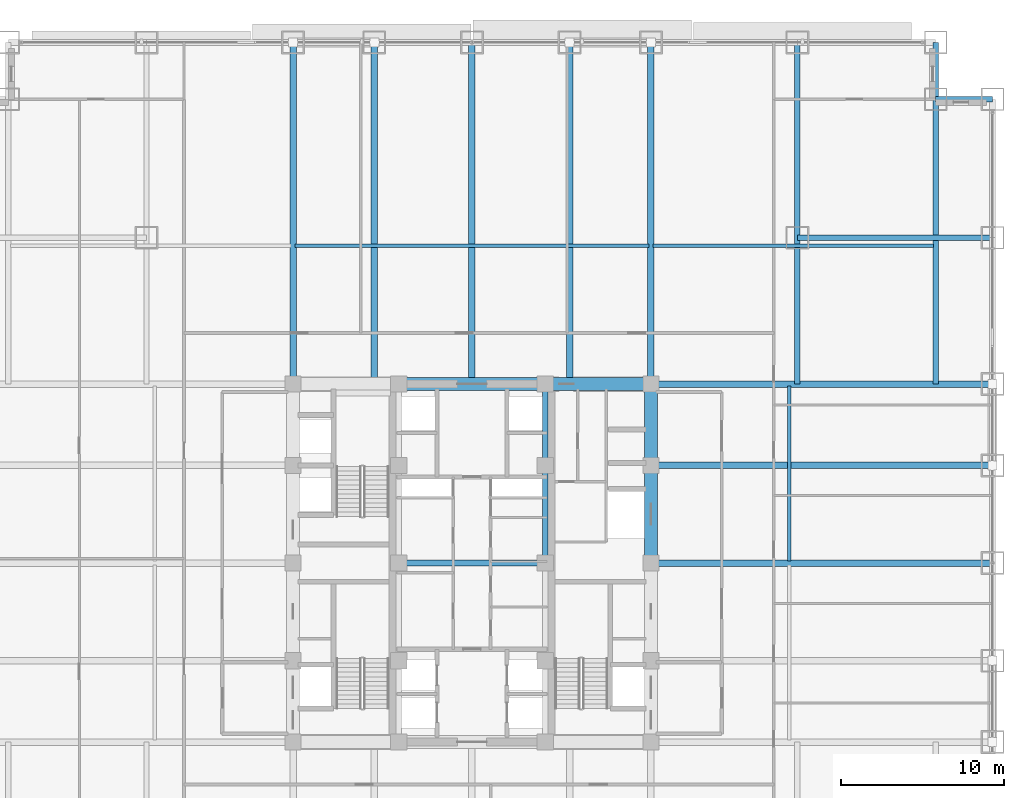
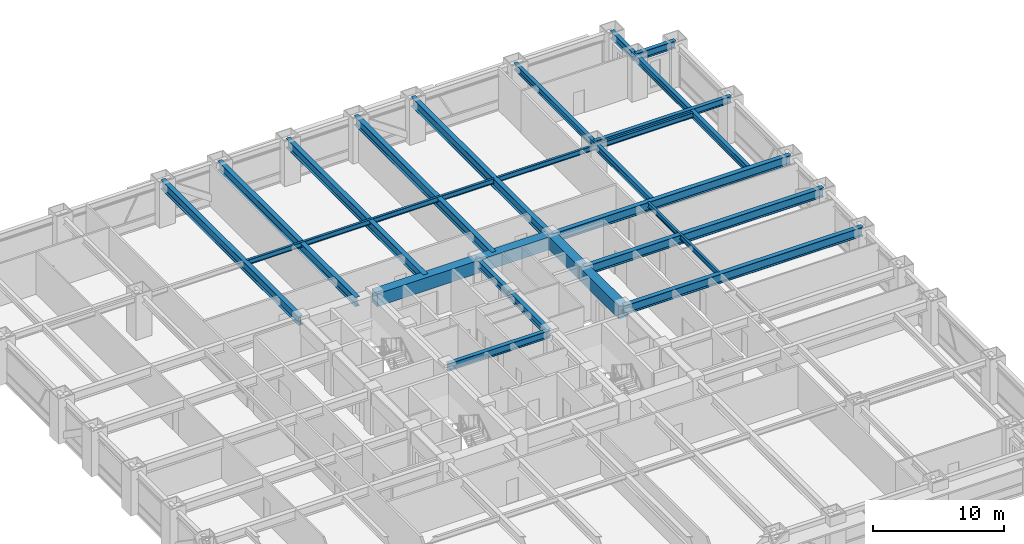
# One storey, part 11 of 32: 23 beams.
"""IFC4 building model written with IfcOpenShell, lengths in metres."""

from ifc_helpers import new_model, si_unit, direction, frame, origin, origin_2d, place, context, subcontext, project, spatial, rectangle, i_section, extrude, source, transform, mapped, material, material_profile, profile_set, type_object, element, save


model = new_model("IFC4")

# Units and contexts
model_context = context("Model", 3, precision=1e-05, world=origin(), true_north=direction((0.0, 1.0)))
body_context = subcontext(model_context, "Body", "Model", "MODEL_VIEW")
ifc_project = project(units=[si_unit("LENGTHUNIT", "METRE"), si_unit("AREAUNIT", "SQUARE_METRE"), si_unit("VOLUMEUNIT", "CUBIC_METRE"), si_unit("PLANEANGLEUNIT", "RADIAN"), si_unit("MASSUNIT", "GRAM", prefix="KILO")], contexts=[model_context])

# Site, building, storey
site_placement = place(None, origin())
site = spatial("IfcSite", under=ifc_project, at=site_placement, CompositionType="ELEMENT")
building_placement = place(site_placement, origin())
building = spatial("IfcBuilding", under=site, at=building_placement, Name="Khorayat Bourse Tower", CompositionType="ELEMENT")
storey_placement = place(building_placement, frame((0.0, 0.0, 78.800048828125)))
storey = spatial("IfcBuildingStorey", under=building, at=storey_placement, Name="L17", CompositionType="ELEMENT", Elevation=78.800048828125)

# Beams
ifc_material_1 = material(Name="Concrete C72/90", Category="concrete")
ifc_material_profile_1 = material_profile(ifc_material_1, rectangle(XDim=0.800048828125, YDim=1.199951171875, at=origin_2d()), Name="RC 800x1200")
ifc_profile_set_1 = profile_set([ifc_material_profile_1], Name="Concrete C72/90")
beam_type_1 = type_object("IfcBeamType", Name="BM-COUP-1200", PredefinedType="BEAM", material=ifc_profile_set_1)
shared_shape_1 = source(origin(), body_context, "Body", "SweptSolid", [
    extrude(rectangle(XDim=0.800048828125, YDim=1.199951171875, at=origin_2d()), origin(), (0.0, 0.0, 1.0), 5.0),
])
beam_1_placement = place(storey_placement, frame((11.0, 6.0, 3.33984375), z_axis=(0.0, 1.0, 0.0), x_axis=(-1.0, 0.0, 0.0)))
element("IfcBeam", 1, at=beam_1_placement, inside=storey, type_object=beam_type_1, Name="L17 BM-COUP-1200 BM-L17-CRX-16", PredefinedType="BEAM", context=body_context, shape_type="MappedRepresentation", body=[
    mapped(shared_shape_1, transform((0.0, 0.0, 0.0), scale=1.0)),
])
shared_shape_2 = source(origin(), body_context, "Body", "SweptSolid", [
    extrude(rectangle(XDim=0.800048828125, YDim=1.199951171875, at=origin_2d()), origin(), (0.0, 0.0, 1.0), 6.0),
])
beam_2_placement = place(storey_placement, frame((11.0, 0.0, 3.33984375), z_axis=(0.0, 1.0, 0.0), x_axis=(-1.0, 0.0, 0.0)))
element("IfcBeam", 2, at=beam_2_placement, inside=storey, type_object=beam_type_1, Name="L17 BM-COUP-1200 BM-L17-CRX-15", PredefinedType="BEAM", context=body_context, shape_type="MappedRepresentation", body=[
    mapped(shared_shape_2, transform((0.0, 0.0, 0.0), scale=1.0)),
])
ifc_material_2 = material(Name="Steel ASTM A992 Grade 50", Category="steel")
ifc_material_profile_2 = material_profile(ifc_material_2, i_section(OverallWidth=0.35498046875, OverallDepth=0.695068359375, WebThickness=0.015380859375, FlangeThickness=0.02490234375, FilletRadius=0.01806640625, at=origin_2d()), Name="W690X217")
ifc_profile_set_2 = profile_set([ifc_material_profile_2], Name="Steel ASTM A992 Grade 50")
beam_type_2 = type_object("IfcBeamType", Name="BM-GIRD-690", PredefinedType="BEAM", material=ifc_profile_set_2)
shared_shape_3 = source(origin(), body_context, "Body", "SweptSolid", [
    extrude(i_section(OverallWidth=0.35498046875, OverallDepth=0.695068359375, WebThickness=0.015380859375, FlangeThickness=0.02490234375, FilletRadius=0.01806640625, at=origin_2d()), origin(), (0.0, 0.0, 1.0), 5.0),
])
beam_3_placement = place(storey_placement, frame((4.5, 6.0, 3.592529296875), z_axis=(0.0, 1.0, 0.0), x_axis=(-1.0, 0.0, 0.0)))
element("IfcBeam", 3, at=beam_3_placement, inside=storey, type_object=beam_type_2, Name="L17 BM-GIRD-690 BM-L17-CRX-12", PredefinedType="BEAM", context=body_context, shape_type="MappedRepresentation", body=[
    mapped(shared_shape_3, transform((0.0, 0.0, 0.0), scale=1.0)),
])
shared_shape_4 = source(origin(), body_context, "Body", "SweptSolid", [
    extrude(i_section(OverallWidth=0.35498046875, OverallDepth=0.695068359375, WebThickness=0.015380859375, FlangeThickness=0.02490234375, FilletRadius=0.01806640625, at=origin_2d()), origin(), (0.0, 0.0, 1.0), 6.0),
])
beam_4_placement = place(storey_placement, frame((4.5, 0.0, 3.592529296875), z_axis=(0.0, 1.0, 0.0), x_axis=(-1.0, 0.0, 0.0)))
element("IfcBeam", 4, at=beam_4_placement, inside=storey, type_object=beam_type_2, Name="L17 BM-GIRD-690 BM-L17-CRX-11", PredefinedType="BEAM", context=body_context, shape_type="MappedRepresentation", body=[
    mapped(shared_shape_4, transform((0.0, 0.0, 0.0), scale=1.0)),
])
shared_shape_5 = source(origin(), body_context, "Body", "SweptSolid", [
    extrude(rectangle(XDim=0.800048828125, YDim=1.199951171875, at=origin_2d()), origin(), (0.0, 0.0, 1.0), 6.5),
])
beam_5_placement = place(storey_placement, frame((4.5, 11.0, 3.33984375), z_axis=(1.0, 0.0, 0.0), x_axis=(0.0, 1.0, 0.0)))
element("IfcBeam", 5, at=beam_5_placement, inside=storey, type_object=beam_type_1, Name="L17 BM-COUP-1200 BM-L17-CRY-22", PredefinedType="BEAM", context=body_context, shape_type="MappedRepresentation", body=[
    mapped(shared_shape_5, transform((0.0, 0.0, 0.0), scale=1.0)),
])
shared_shape_6 = source(origin(), body_context, "Body", "SweptSolid", [
    extrude(rectangle(XDim=0.800048828125, YDim=1.199951171875, at=origin_2d()), origin(), (0.0, 0.0, 1.0), 9.0),
])
beam_6_placement = place(storey_placement, frame((-4.5, 11.0, 3.33984375), z_axis=(1.0, 0.0, 0.0), x_axis=(0.0, 1.0, 0.0)))
element("IfcBeam", 6, at=beam_6_placement, inside=storey, type_object=beam_type_1, Name="L17 BM-COUP-1200 BM-L17-CRY-21", PredefinedType="BEAM", context=body_context, shape_type="MappedRepresentation", body=[
    mapped(shared_shape_6, transform((0.0, 0.0, 0.0), scale=1.0)),
])
shared_shape_7 = source(origin(), body_context, "Body", "SweptSolid", [
    extrude(i_section(OverallWidth=0.35498046875, OverallDepth=0.695068359375, WebThickness=0.015380859375, FlangeThickness=0.02490234375, FilletRadius=0.01806640625, at=origin_2d()), origin(), (0.0, 0.0, 1.0), 9.0),
])
beam_7_placement = place(storey_placement, frame((-4.5, 0.0, 3.592529296875), z_axis=(1.0, 0.0, 0.0), x_axis=(0.0, 1.0, 0.0)))
element("IfcBeam", 7, at=beam_7_placement, inside=storey, type_object=beam_type_2, Name="L17 BM-GIRD-690 BM-L17-CRY-23", PredefinedType="BEAM", context=body_context, shape_type="MappedRepresentation", body=[
    mapped(shared_shape_7, transform((0.0, 0.0, 0.0), scale=1.0)),
])
ifc_material_profile_3 = material_profile(ifc_material_2, i_section(OverallWidth=0.35498046875, OverallDepth=0.695068359375, WebThickness=0.015380859375, FlangeThickness=0.02490234375, FilletRadius=0.01806640625, at=origin_2d()), Name="W690X217")
ifc_profile_set_3 = profile_set([ifc_material_profile_3], Name="Steel ASTM A992 Grade 50")
beam_type_3 = type_object("IfcBeamType", Name="BM-SPAN-690", PredefinedType="SPANDREL", material=ifc_profile_set_3)
shared_shape_8 = source(origin(), body_context, "Body", "SweptSolid", [
    extrude(i_section(OverallWidth=0.35498046875, OverallDepth=0.695068359375, WebThickness=0.015380859375, FlangeThickness=0.02490234375, FilletRadius=0.01806640625, at=origin_2d()), origin(), (0.0, 0.0, 1.0), 3.5),
])
for number, where, z_axis, x_axis, name in (
    (8, (28.5, 28.5, 3.592529296875), (1.0, 0.0, 0.0), (0.0, 1.0, 0.0), "L17 BM-SPAN-690 BM-L17-SPN-042"),
    (9, (28.5, 28.5, 3.592529296875), (0.0, 1.0, 0.0), (-1.0, 0.0, 0.0), "L17 BM-SPAN-690 BM-L17-SPN-043"),
):
    element("IfcBeam", number, at=place(storey_placement, frame(where, z_axis=z_axis, x_axis=x_axis)), inside=storey, type_object=beam_type_3, Name=name, PredefinedType="SPANDREL", context=body_context, shape_type="MappedRepresentation", body=[
        mapped(shared_shape_8, transform((0.0, 0.0, 0.0), scale=1.0)),
    ])
ifc_material_profile_4 = material_profile(ifc_material_2, i_section(OverallWidth=0.39990234375, OverallDepth=0.85498046875, WebThickness=0.018310546875, FlangeThickness=0.029296875, FilletRadius=0.02001953125, at=origin_2d()), Name="W840X299")
ifc_profile_set_4 = profile_set([ifc_material_profile_4], Name="Steel ASTM A992 Grade 50")
beam_type_4 = type_object("IfcBeamType", Name="BM-GIRD-840", PredefinedType="BEAM", material=ifc_profile_set_4)
shared_shape_9 = source(origin(), body_context, "Body", "SweptSolid", [
    extrude(i_section(OverallWidth=0.39990234375, OverallDepth=0.85498046875, WebThickness=0.018310546875, FlangeThickness=0.029296875, FilletRadius=0.02001953125, at=origin_2d()), origin(), (0.0, 0.0, 1.0), 21.0),
])
for number, where, z_axis, x_axis, name in (
    (10, (-11.0, 11.0, 3.512451171875), (0.0, 1.0, 0.0), (-1.0, 0.0, 0.0), "L17 BM-GIRD-840 BM-L17-RADY-064"),
    (11, (-6.0, 11.0, 3.512451171875), (0.0, 1.0, 0.0), (-1.0, 0.0, 0.0), "L17 BM-GIRD-840 BM-L17-RADY-066"),
    (12, (0.0, 11.0, 3.512451171875), (0.0, 1.0, 0.0), (-1.0, 0.0, 0.0), "L17 BM-GIRD-840 BM-L17-RADY-068"),
    (13, (6.0, 11.0, 3.512451171875), (0.0, 1.0, 0.0), (-1.0, 0.0, 0.0), "L17 BM-GIRD-840 BM-L17-RADY-070"),
    (14, (11.0, 11.0, 3.512451171875), (0.0, 1.0, 0.0), (-1.0, 0.0, 0.0), "L17 BM-GIRD-840 BM-L17-RADY-072"),
    (15, (11.0, 0.0, 3.512451171875), (1.0, 0.0, 0.0), (0.0, 1.0, 0.0), "L17 BM-GIRD-840 BM-L17-RADX-078"),
    (16, (11.0, 6.0, 3.512451171875), (1.0, 0.0, 0.0), (0.0, 1.0, 0.0), "L17 BM-GIRD-840 BM-L17-RADX-080"),
    (17, (11.0, 11.0, 3.512451171875), (1.0, 0.0, 0.0), (0.0, 1.0, 0.0), "L17 BM-GIRD-840 BM-L17-RADX-082"),
):
    element("IfcBeam", number, at=place(storey_placement, frame(where, z_axis=z_axis, x_axis=x_axis)), inside=storey, type_object=beam_type_4, Name=name, PredefinedType="BEAM", context=body_context, shape_type="MappedRepresentation", body=[
        mapped(shared_shape_9, transform((0.0, 0.0, 0.0), scale=1.0)),
    ])
ifc_material_profile_5 = material_profile(ifc_material_2, i_section(OverallWidth=0.324951171875, OverallDepth=0.615966796875, WebThickness=0.013916015625, FlangeThickness=0.021484375, FilletRadius=0.01611328125, at=origin_2d()), Name="W610X174")
ifc_profile_set_5 = profile_set([ifc_material_profile_5], Name="Steel ASTM A992 Grade 50")
beam_type_5 = type_object("IfcBeamType", Name="BM-GIRD-610", PredefinedType="BEAM", material=ifc_profile_set_5)
shared_shape_10 = source(origin(), body_context, "Body", "SweptSolid", [
    extrude(i_section(OverallWidth=0.324951171875, OverallDepth=0.615966796875, WebThickness=0.013916015625, FlangeThickness=0.021484375, FilletRadius=0.01611328125, at=origin_2d()), origin(), (0.0, 0.0, 1.0), 21.0),
])
beam_8_placement = place(storey_placement, frame((20.0, 11.0, 3.6318359375), z_axis=(0.0, 1.0, 0.0), x_axis=(-1.0, 0.0, 0.0)))
element("IfcBeam", 18, at=beam_8_placement, inside=storey, type_object=beam_type_5, Name="L17 BM-GIRD-610 BM-L17-CNRY-087", PredefinedType="BEAM", context=body_context, shape_type="MappedRepresentation", body=[
    mapped(shared_shape_10, transform((0.0, 0.0, 0.0), scale=1.0)),
])
shared_shape_11 = source(origin(), body_context, "Body", "SweptSolid", [
    extrude(i_section(OverallWidth=0.324951171875, OverallDepth=0.615966796875, WebThickness=0.013916015625, FlangeThickness=0.021484375, FilletRadius=0.01611328125, at=origin_2d()), origin(), (0.0, 0.0, 1.0), 17.5),
])
beam_9_placement = place(storey_placement, frame((28.5, 11.0, 3.6318359375), z_axis=(0.0, 1.0, 0.0), x_axis=(-1.0, 0.0, 0.0)))
element("IfcBeam", 19, at=beam_9_placement, inside=storey, type_object=beam_type_5, Name="L17 BM-GIRD-610 BM-L17-CNRY-091", PredefinedType="BEAM", context=body_context, shape_type="MappedRepresentation", body=[
    mapped(shared_shape_11, transform((0.0, 0.0, 0.0), scale=1.0)),
])
shared_shape_12 = source(origin(), body_context, "Body", "SweptSolid", [
    extrude(i_section(OverallWidth=0.324951171875, OverallDepth=0.615966796875, WebThickness=0.013916015625, FlangeThickness=0.021484375, FilletRadius=0.01611328125, at=origin_2d()), origin(), (0.0, 0.0, 1.0), 12.0),
])
beam_10_placement = place(storey_placement, frame((20.0, 20.0, 3.6318359375), z_axis=(1.0, 0.0, 0.0), x_axis=(0.0, 1.0, 0.0)))
element("IfcBeam", 20, at=beam_10_placement, inside=storey, type_object=beam_type_5, Name="L17 BM-GIRD-610 BM-L17-CNRX-094", PredefinedType="BEAM", context=body_context, shape_type="MappedRepresentation", body=[
    mapped(shared_shape_12, transform((0.0, 0.0, 0.0), scale=1.0)),
])
ifc_material_profile_6 = material_profile(ifc_material_2, i_section(OverallWidth=0.194091796875, OverallDepth=0.468994140625, WebThickness=0.0126953125, FlangeThickness=0.0205078125, FilletRadius=0.012939453125, at=origin_2d()), Name="W460X106")
ifc_profile_set_6 = profile_set([ifc_material_profile_6], Name="Steel ASTM A992 Grade 50")
beam_type_6 = type_object("IfcBeamType", Name="BM-JOIST-460", PredefinedType="JOIST", material=ifc_profile_set_6)
shared_shape_13 = source(origin(), body_context, "Body", "SweptSolid", [
    extrude(i_section(OverallWidth=0.194091796875, OverallDepth=0.468994140625, WebThickness=0.0126953125, FlangeThickness=0.0205078125, FilletRadius=0.012939453125, at=origin_2d()), origin(), (0.0, 0.0, 1.0), 17.240234375),
])
beam_11_placement = place(storey_placement, frame((11.1298828125, 19.5, 3.70556640625), z_axis=(1.0, 0.0, 0.0), x_axis=(0.0, 1.0, 0.0)))
element("IfcBeam", 21, at=beam_11_placement, inside=storey, type_object=beam_type_6, Name="L17 BM-JOIST-460 BM-L17-JSTX-101", PredefinedType="JOIST", context=body_context, shape_type="MappedRepresentation", body=[
    mapped(shared_shape_13, transform((0.0, 0.0, 0.0), scale=1.0)),
])
shared_shape_14 = source(origin(), body_context, "Body", "SweptSolid", [
    extrude(i_section(OverallWidth=0.194091796875, OverallDepth=0.468994140625, WebThickness=0.0126953125, FlangeThickness=0.0205078125, FilletRadius=0.012939453125, at=origin_2d()), origin(), (0.0, 0.0, 1.0), 21.740234375),
])
beam_12_placement = place(storey_placement, frame((-10.8701171875, 19.5, 3.70556640625), z_axis=(1.0, 0.0, 0.0), x_axis=(0.0, 1.0, 0.0)))
element("IfcBeam", 22, at=beam_12_placement, inside=storey, type_object=beam_type_6, Name="L17 BM-JOIST-460 BM-L17-JSTX-100", PredefinedType="JOIST", context=body_context, shape_type="MappedRepresentation", body=[
    mapped(shared_shape_14, transform((0.0, 0.0, 0.0), scale=1.0)),
])
shared_shape_15 = source(origin(), body_context, "Body", "SweptSolid", [
    extrude(i_section(OverallWidth=0.194091796875, OverallDepth=0.468994140625, WebThickness=0.0126953125, FlangeThickness=0.0205078125, FilletRadius=0.012939453125, at=origin_2d()), origin(), (0.0, 0.0, 1.0), 10.740234375),
])
beam_13_placement = place(storey_placement, frame((19.5, 0.1298828125, 3.70556640625), z_axis=(0.0, 1.0, 0.0), x_axis=(-1.0, 0.0, 0.0)))
element("IfcBeam", 23, at=beam_13_placement, inside=storey, type_object=beam_type_6, Name="L17 BM-JOIST-460 BM-L17-JSTY-105", PredefinedType="JOIST", context=body_context, shape_type="MappedRepresentation", body=[
    mapped(shared_shape_15, transform((0.0, 0.0, 0.0), scale=1.0)),
])

save(model, "model.ifc")
